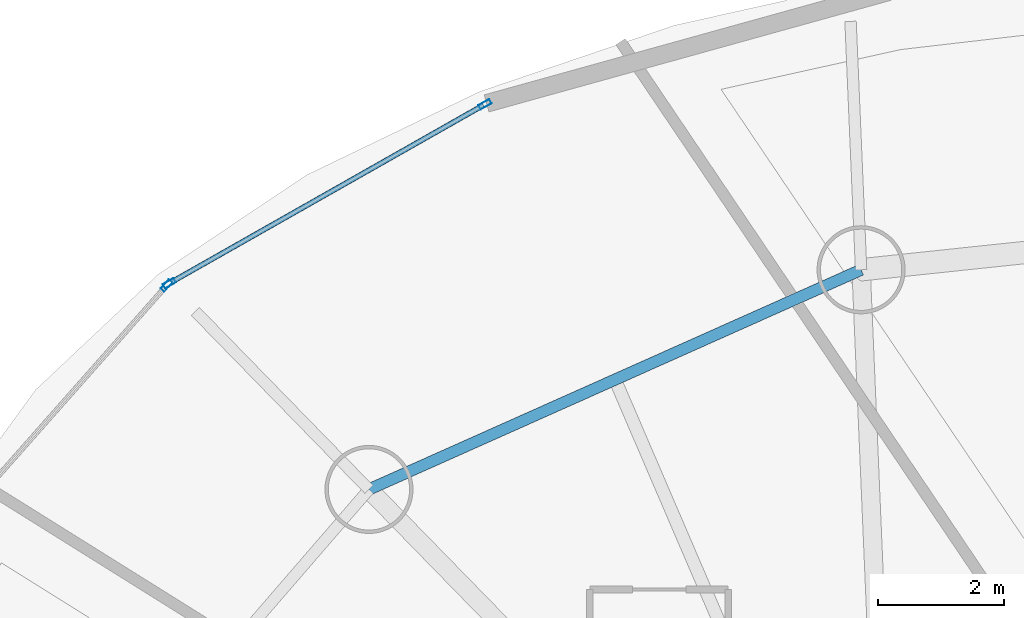
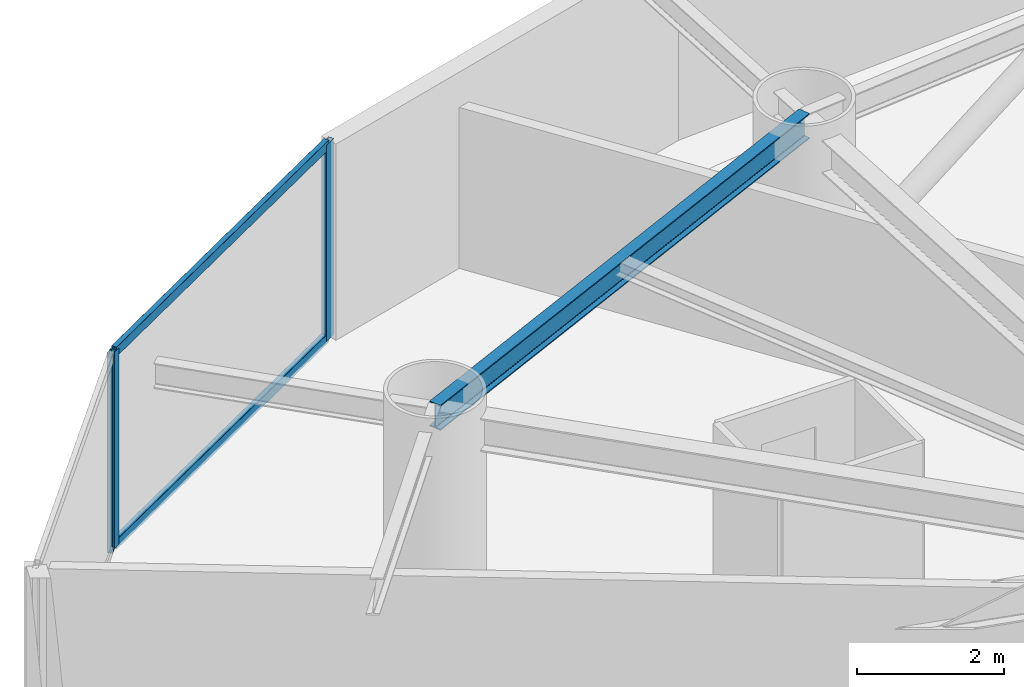
# One storey, part 10 of 20: 5 members, 1 beam, 2 elements without a shape of their own.
"""IFC4 building model written with IfcOpenShell, lengths in metres."""

from ifc_helpers import new_model, si_unit, direction, frame, origin, origin_2d, place, context, subcontext, project, spatial, hollow_rectangle, i_section, extrude, material, layer, layer_set, material_profile, profile_set, type_object, element, aggregate, save


model = new_model("IFC4")

# Units and contexts
model_context = context("Model", 3, precision=1e-05, world=origin(), true_north=direction((0.0, 1.0)))
body_context = subcontext(model_context, "Body", "Model", "MODEL_VIEW")
ifc_project = project(units=[si_unit("LENGTHUNIT", "METRE"), si_unit("AREAUNIT", "SQUARE_METRE"), si_unit("VOLUMEUNIT", "CUBIC_METRE"), si_unit("PLANEANGLEUNIT", "RADIAN"), si_unit("MASSUNIT", "GRAM", prefix="KILO")], contexts=[model_context])

# Site, building, storey
site_placement = place(None, origin())
site = spatial("IfcSite", under=ifc_project, at=site_placement, CompositionType="ELEMENT")
building_placement = place(site_placement, origin())
building = spatial("IfcBuilding", under=site, at=building_placement, Name="Bramvorn Convention Spire", CompositionType="ELEMENT")
storey_placement = place(building_placement, frame((0.0, 0.0, 151.800048828125)))
storey = spatial("IfcBuildingStorey", under=building, at=storey_placement, Name="L38", CompositionType="ELEMENT", Elevation=151.800048828125)

# Beam
ifc_material_1 = material(Name="Steel CSA G40.21 Grade 350 (350W)", Category="steel")
ifc_material_profile_1 = material_profile(ifc_material_1, i_section(OverallWidth=0.180908203125, OverallDepth=0.4169921875, WebThickness=0.010986328125, FlangeThickness=0.018310546875, FilletRadius=0.01611328125, at=origin_2d()))
ifc_profile_set_1 = profile_set([ifc_material_profile_1], Name="Steel CSA G40.21 Grade 350 (350W) - W410X85")
beam_type = type_object("IfcBeamType", Name="BM-W410X85", PredefinedType="JOIST", material=ifc_profile_set_1)
beam_placement = place(storey_placement, frame((26.23828125, 45.478759765625, 3.051513671875), z_axis=(-0.913169534701, -0.407579931908, 0.0), x_axis=(0.407579931908, -0.913169534701, 0.0)))
element("IfcBeam", 1, at=beam_placement, inside=storey, type_object=beam_type, Name="L38 mega-column ring beam 07", PredefinedType="JOIST", context=body_context, shape_type="SweptSolid", body=[
    extrude(i_section(OverallWidth=0.180908203125, OverallDepth=0.4169921875, WebThickness=0.010986328125, FlangeThickness=0.018310546875, FilletRadius=0.01611328125, at=origin_2d()), origin(), (0.0, 0.0, 1.0), 8.5615234375),
])

# Curtain wall, members
ifc_material_2 = material(Name="Anodised Bronze Unitised Curtain Wall", Category="aluminium")
ifc_layer = layer(ifc_material_2, 0.179931640625)
ifc_layer_set = layer_set([ifc_layer], Name="Anodised Bronze Unitised Curtain Wall - CW-HTL-FRIT")
curtain_wall_type = type_object("IfcCurtainWallType", Name="CW-HTL-FRIT", PredefinedType="USERDEFINED", material=ifc_layer_set)
curtain_wall_1_placement = place(storey_placement, origin())
curtain_wall_1 = element("IfcCurtainWall", 2, at=curtain_wall_1_placement, inside=storey, type_object=curtain_wall_type, Name="L38 fritted glass curtain wall 11", ObjectType="UNITISED CURTAIN WALL", PredefinedType="USERDEFINED")
ifc_material_3 = material(Name="Anodised Bronze Aluminium 6063-T6", Category="aluminium")
ifc_material_profile_2 = material_profile(ifc_material_3, hollow_rectangle(XDim=0.080078125, YDim=0.199951171875, WallThickness=0.00390625, InnerFilletRadius=0.0009765625, OuterFilletRadius=0.00390625, at=origin_2d()))
ifc_profile_set_2 = profile_set([ifc_material_profile_2], Name="Anodised Bronze Aluminium 6063-T6 - CWM80X200")
member_type_1 = type_object("IfcMemberType", Name="CW-MUL-180", PredefinedType="MULLION", material=ifc_profile_set_2)
member_1_placement = place(storey_placement, frame((15.25, 45.2646484375, 0.0), z_axis=(0.0, 0.0, 1.0), x_axis=(-0.493302868528, 0.869857620477, 0.0)))
member_1 = element("IfcMember", 3, at=member_1_placement, type_object=member_type_1, Name="CW2 mullion 1", PredefinedType="MULLION", context=body_context, shape_type="SweptSolid", body=[
    extrude(hollow_rectangle(XDim=0.080078125, YDim=0.199951171875, WallThickness=0.00390625, InnerFilletRadius=0.0009765625, OuterFilletRadius=0.00390625, at=origin_2d()), origin(), (0.0, 0.0, 1.0), 3.260009765625),
])
member_2_placement = place(storey_placement, frame((20.262939453125, 48.107421875, 0.0), z_axis=(0.0, 0.0, 1.0), x_axis=(-0.493302868528, 0.869857620477, 0.0)))
member_2 = element("IfcMember", 4, at=member_2_placement, type_object=member_type_1, Name="CW2 mullion 2", PredefinedType="MULLION", context=body_context, shape_type="SweptSolid", body=[
    extrude(hollow_rectangle(XDim=0.080078125, YDim=0.199951171875, WallThickness=0.00390625, InnerFilletRadius=0.0009765625, OuterFilletRadius=0.00390625, at=origin_2d()), origin(), (0.0, 0.0, 1.0), 3.260009765625),
])

# Curtain wall, member
curtain_wall_2_placement = place(storey_placement, origin())
curtain_wall_2 = element("IfcCurtainWall", 5, at=curtain_wall_2_placement, inside=storey, type_object=curtain_wall_type, Name="L38 fritted glass curtain wall 12", ObjectType="UNITISED CURTAIN WALL", PredefinedType="USERDEFINED")
member_3_placement = place(storey_placement, frame((15.2041015625, 45.2275390625, 0.0), z_axis=(0.0, 0.0, 1.0), x_axis=(-0.749197936954, 0.662346171774, 0.0)))
member_3 = element("IfcMember", 6, at=member_3_placement, type_object=member_type_1, Name="CW2 mullion 2", PredefinedType="MULLION", context=body_context, shape_type="SweptSolid", body=[
    extrude(hollow_rectangle(XDim=0.080078125, YDim=0.199951171875, WallThickness=0.00390625, InnerFilletRadius=0.0009765625, OuterFilletRadius=0.00390625, at=origin_2d()), origin(), (0.0, 0.0, 1.0), 3.260009765625),
])
aggregate(curtain_wall_2, [member_3])

# Member
ifc_material_profile_3 = material_profile(ifc_material_3, hollow_rectangle(XDim=0.080078125, YDim=0.159912109375, WallThickness=0.00390625, InnerFilletRadius=0.0009765625, OuterFilletRadius=0.00390625, at=origin_2d()))
ifc_profile_set_3 = profile_set([ifc_material_profile_3], Name="Anodised Bronze Aluminium 6063-T6 - CWT80X160")
member_type_2 = type_object("IfcMemberType", Name="CW-TRN-150", PredefinedType="USERDEFINED", material=ifc_profile_set_3)
member_4_placement = place(storey_placement, frame((15.276123046875, 45.279541015625, 0.030029296875), z_axis=(0.869858710707, 0.493300946084, 0.0), x_axis=(-0.493300946084, 0.869858710707, 0.0)))
member_4 = element("IfcMember", 7, at=member_4_placement, type_object=member_type_2, Name="CW2 transom 1.1", ObjectType="TRANSOM", PredefinedType="USERDEFINED", context=body_context, shape_type="SweptSolid", body=[
    extrude(hollow_rectangle(XDim=0.080078125, YDim=0.159912109375, WallThickness=0.00390625, InnerFilletRadius=0.0009765625, OuterFilletRadius=0.00390625, at=origin_2d()), origin(), (0.0, 0.0, 1.0), 5.702880859375),
])

member_5_placement = place(storey_placement, frame((15.276123046875, 45.279541015625, 3.22998046875), z_axis=(0.869858710707, 0.493300946084, 0.0), x_axis=(-0.493300946084, 0.869858710707, 0.0)))
member_5 = element("IfcMember", 8, at=member_5_placement, type_object=member_type_2, Name="CW2 transom 1.2", ObjectType="TRANSOM", PredefinedType="USERDEFINED", context=body_context, shape_type="SweptSolid", body=[
    extrude(hollow_rectangle(XDim=0.080078125, YDim=0.159912109375, WallThickness=0.00390625, InnerFilletRadius=0.0009765625, OuterFilletRadius=0.00390625, at=origin_2d()), origin(), (0.0, 0.0, 1.0), 5.702880859375),
])

aggregate(curtain_wall_1, [member_1, member_2, member_4, member_5])

save(model, "model.ifc")
